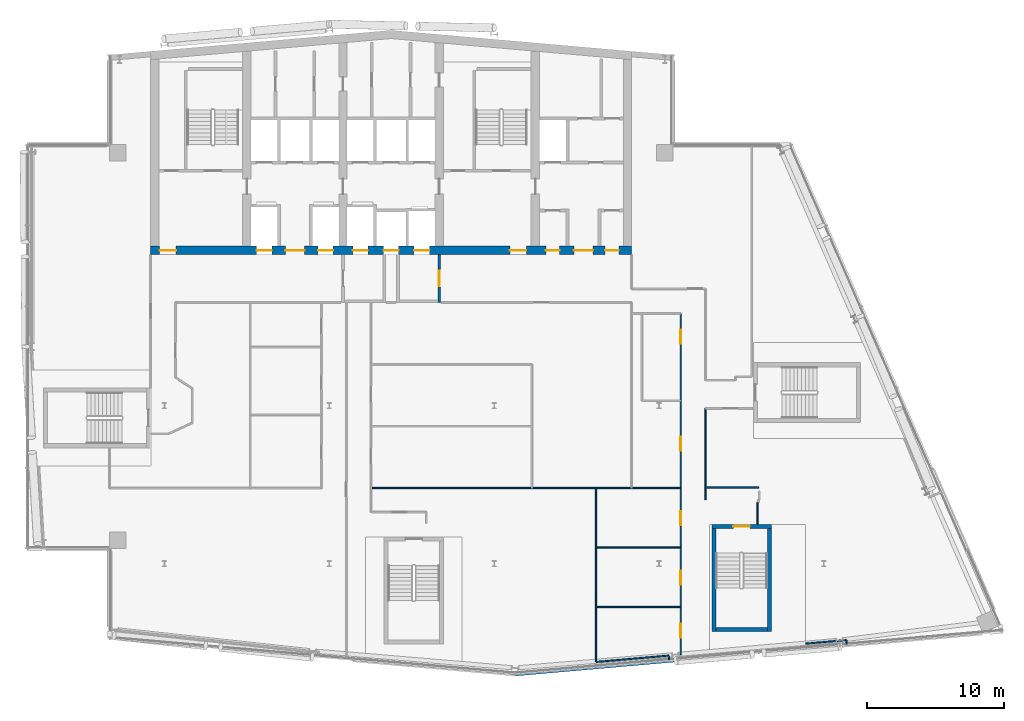
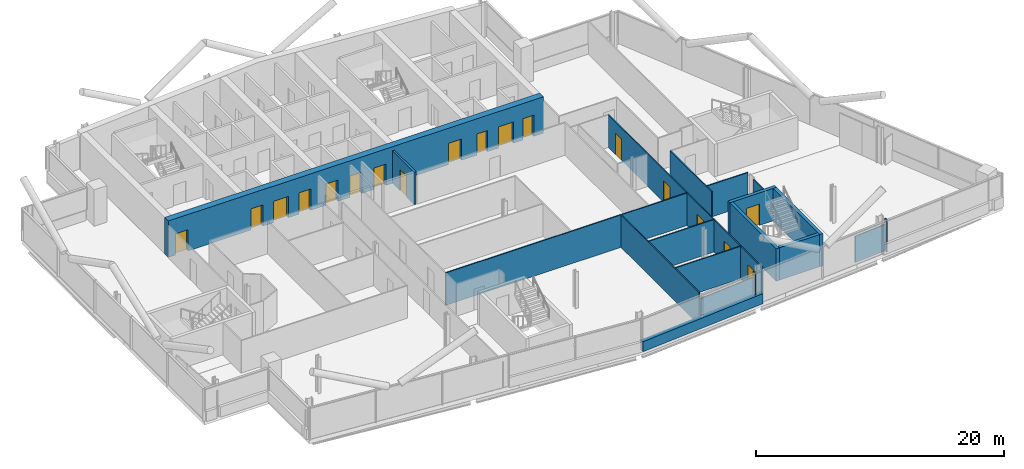
# One storey, part 16 of 27: 19 walls, 18 doors, 18 openings.
"""IFC4 building model written with IfcOpenShell, lengths in metres."""

import ifcopenshell
import ifcopenshell.guid

model = None  # the IFC model being written
_history = None  # IfcOwnerHistory: only IFC2X3 demands one
_inside = {}  # id of a spatial element -> (the spatial element, [elements in it])
_under = {}  # id of a project, library or spatial element -> (it, [spatial elements below it])
_declared = {}  # id of a project -> (the project, [libraries it declares])
_typed = {}  # id of a type object -> (the type object, [elements of that type])
_made_of = {}  # id of a material, layer set ... -> (it, [elements and type objects made of it])


def new_model(schema):
    """Start an empty IFC model of exactly this schema.

    Asked for "IFC4X3", IfcOpenShell would pick the latest addendum, in which some entities
    have other attributes; the version numbers below select the first issue.
    IFC2X3 requires an IfcOwnerHistory on every rooted entity: one is made here for all.
    """
    global model, _history
    if schema == "IFC4X3":
        model = ifcopenshell.file(schema_version=(4, 3, 0, 0))
    else:
        model = ifcopenshell.file(schema=schema)
    _inside.clear()
    _under.clear()
    _declared.clear()
    _typed.clear()
    _made_of.clear()
    _history = None
    if model.schema == "IFC2X3":
        org = make("IfcOrganization", Name="unknown")
        user = make(
            "IfcPersonAndOrganization",
            ThePerson=make("IfcPerson", FamilyName="unknown"),
            TheOrganization=org,
        )
        app = make(
            "IfcApplication",
            ApplicationDeveloper=org,
            Version="unknown",
            ApplicationFullName="unknown",
            ApplicationIdentifier="unknown",
        )
        _history = make(
            "IfcOwnerHistory",
            OwningUser=user,
            OwningApplication=app,
            ChangeAction="ADDED",
            CreationDate=0,
        )
    return model


def make(cls, **values):
    """One entity of the class cls with the attributes given. An attribute that is None is left unset."""
    return model.create_entity(
        cls, **{name: value for name, value in values.items() if value is not None}
    )


def rooted(cls, **values):
    """An entity with a GlobalId (a new one), such as an element, a storey or a relation."""
    return make(cls, GlobalId=ifcopenshell.guid.new(), OwnerHistory=_history, **values)


def si_unit(unit_type, name, prefix=None):
    """IfcSIUnit, for example si_unit("LENGTHUNIT", "METRE", prefix="MILLI")."""
    return make("IfcSIUnit", UnitType=unit_type, Prefix=prefix, Name=name)


def assignment(units):
    """IfcUnitAssignment: the units of a project."""
    return None if units is None else make("IfcUnitAssignment", Units=units)


def point(xyz):
    """IfcCartesianPoint."""
    return None if xyz is None else make("IfcCartesianPoint", Coordinates=xyz)


def direction(xyz):
    """IfcDirection."""
    return None if xyz is None else make("IfcDirection", DirectionRatios=xyz)


def frame(location, z_axis=None, x_axis=None):
    """IfcAxis2Placement3D, a coordinate frame: its origin and axes. An axis left out is left unset."""
    return make(
        "IfcAxis2Placement3D",
        Location=point(location),
        Axis=direction(z_axis),
        RefDirection=direction(x_axis),
    )


def frame_2d(location, x_axis=None):
    """IfcAxis2Placement2D, a coordinate frame in the plane: its origin and x axis."""
    return make(
        "IfcAxis2Placement2D", Location=point(location), RefDirection=direction(x_axis)
    )


def origin():
    """The frame at (0, 0, 0) with its axes left unset."""
    return frame((0.0, 0.0, 0.0))


def place(relative_to, where):
    """IfcLocalPlacement: puts the frame where relative to a parent placement (None: the world)."""
    return make(
        "IfcLocalPlacement", PlacementRelTo=relative_to, RelativePlacement=where
    )


def context(
    kind, dimensions, precision=None, world=None, true_north=None, identifier=None
):
    """IfcGeometricRepresentationContext, for example the 3D "Model" context."""
    return make(
        "IfcGeometricRepresentationContext",
        ContextIdentifier=identifier,
        ContextType=kind,
        CoordinateSpaceDimension=dimensions,
        Precision=precision,
        WorldCoordinateSystem=world,
        TrueNorth=true_north,
    )


def subcontext(parent, identifier, kind, view, scale=None):
    """IfcGeometricRepresentationSubContext, for example "Body" below "Model"."""
    return make(
        "IfcGeometricRepresentationSubContext",
        ContextIdentifier=identifier,
        ContextType=kind,
        ParentContext=parent,
        TargetScale=scale,
        TargetView=view,
    )


def project(units=None, contexts=None):
    """IfcProject with its units and contexts."""
    return rooted(
        "IfcProject",
        Name="project",
        RepresentationContexts=contexts,
        UnitsInContext=assignment(units),
    )


def spatial(cls, under=None, at=None, **own):
    """A site, building, storey or space (cls), placed at a placement, below another one or the project."""
    s = rooted(cls, ObjectPlacement=at, **own)
    if under is not None:
        _under.setdefault(under.id(), (under, []))[1].append(s)
    return s


def profile(cls, at=None, kind="AREA", **sizes):
    """A parametric profile (cls). Its sizes go by their IFC names, for example OverallWidth=200.0."""
    return make(cls, ProfileType=kind, Position=at, **sizes)


def rectangle(**sizes):
    """IfcRectangleProfileDef."""
    return profile("IfcRectangleProfileDef", **sizes)


def extrude(swept, where, along, depth):
    """IfcExtrudedAreaSolid: the profile swept, set in the frame where, extruded along a direction by depth."""
    return make(
        "IfcExtrudedAreaSolid",
        SweptArea=swept,
        Position=where,
        ExtrudedDirection=direction(along),
        Depth=depth,
    )


def shape(context_of_items, identifier, shape_type, items):
    """IfcShapeRepresentation: the items that make up one representation, for example the "Body"."""
    return make(
        "IfcShapeRepresentation",
        ContextOfItems=context_of_items,
        RepresentationIdentifier=identifier,
        RepresentationType=shape_type,
        Items=items,
    )


def material(Name=None, Category=None):
    """IfcMaterial."""
    return make("IfcMaterial", Name=Name, Category=Category)


def layer(
    of_material, thickness, ventilated=None, Name=None, Category=None, Priority=None
):
    """IfcMaterialLayer: one layer of a wall or slab, of a material (None: an air gap)."""
    return make(
        "IfcMaterialLayer",
        Material=of_material,
        LayerThickness=thickness,
        IsVentilated=ventilated,
        Name=Name,
        Category=Category,
        Priority=Priority,
    )


def layer_set(layers, Name=None):
    """IfcMaterialLayerSet."""
    return make("IfcMaterialLayerSet", MaterialLayers=layers, LayerSetName=Name)


def made_of(thing, what):
    """Note that an element or type object is made of a material, layer set ...; save() writes the relation."""
    if what is not None:
        _made_of.setdefault(what.id(), (what, []))[1].append(thing)
    return thing


def type_object(cls, material=None, **own):
    """A type object (cls), such as IfcWallType, which elements share."""
    return made_of(rooted(cls, **own), material)


def element(
    cls,
    number,
    at=None,
    inside=None,
    cuts=None,
    type_object=None,
    material=None,
    context=None,
    identifier="Body",
    shape_type=None,
    held_by="IfcProductDefinitionShape",
    body=None,
    shapes=None,
    **own,
):
    """One element of the class cls, such as IfcWall. Its Tag is "e" and its number.

    at: its placement. inside: the storey or other place that contains it. cuts: it is an
    opening in that element (IfcRelVoidsElement). A single representation is given by context,
    identifier, shape_type and body (its items); several are given by shapes. held_by: the class
    of the entity that holds the representations. save() writes the other relations.
    """
    e = rooted(cls, Tag="e%d" % number, ObjectPlacement=at, **own)
    if body is not None:
        shapes = [shape(context, identifier, shape_type, body)]
    if shapes is not None:
        e.Representation = make(held_by, Representations=shapes)
    if inside is not None:
        _inside.setdefault(inside.id(), (inside, []))[1].append(e)
    if cuts is not None:
        rooted(
            "IfcRelVoidsElement", RelatingBuildingElement=cuts, RelatedOpeningElement=e
        )
    if type_object is not None:
        _typed.setdefault(type_object.id(), (type_object, []))[1].append(e)
    return made_of(e, material)


def fill(opening, filler):
    """IfcRelFillsElement: the door or window that sits in an opening."""
    return rooted(
        "IfcRelFillsElement",
        RelatingOpeningElement=opening,
        RelatedBuildingElement=filler,
    )


def aggregate(whole, parts):
    """IfcRelAggregates: a whole, such as a stair, and the parts it consists of."""
    return rooted("IfcRelAggregates", RelatingObject=whole, RelatedObjects=parts)


def save(model, path):
    """Write the relations noted so far, then the file.

    IfcRelAggregates (storeys below a building ...), IfcRelContainedInSpatialStructure (elements
    in a storey), IfcRelDefinesByType, IfcRelAssociatesMaterial and IfcRelDeclares: one each for
    every whole, place, type object, material and project.
    """
    for whole, parts in _under.values():
        aggregate(whole, parts)
    for where, things in _inside.values():
        rooted(
            "IfcRelContainedInSpatialStructure",
            RelatedElements=things,
            RelatingStructure=where,
        )
    for kind, things in _typed.values():
        rooted("IfcRelDefinesByType", RelatedObjects=things, RelatingType=kind)
    for what, things in _made_of.values():
        rooted("IfcRelAssociatesMaterial", RelatedObjects=things, RelatingMaterial=what)
    for by, libraries in _declared.values():
        rooted("IfcRelDeclares", RelatingContext=by, RelatedDefinitions=libraries)
    model.write(path)


model = new_model("IFC4")

# Units and contexts
model_context = context("Model", 3, precision=1e-05, world=origin(), true_north=direction((0.0, 1.0)))
body_context = subcontext(model_context, "Body", "Model", "MODEL_VIEW")
ifc_project = project(units=[si_unit("LENGTHUNIT", "METRE"), si_unit("AREAUNIT", "SQUARE_METRE"), si_unit("VOLUMEUNIT", "CUBIC_METRE"), si_unit("PLANEANGLEUNIT", "RADIAN"), si_unit("MASSUNIT", "GRAM", prefix="KILO")], contexts=[model_context])

# Site, building, storey
site_placement = place(None, origin())
site = spatial("IfcSite", under=ifc_project, at=site_placement, CompositionType="ELEMENT")
building_placement = place(site_placement, origin())
building = spatial("IfcBuilding", under=site, at=building_placement, Name="Wharfspan Tower", CompositionType="ELEMENT")
storey_placement = place(building_placement, frame((0.0, 0.0, 228.699951)))
storey = spatial("IfcBuildingStorey", under=building, at=storey_placement, Name="L57", CompositionType="ELEMENT", Elevation=228.699951)

# Walls
ifc_material_1 = material(Name="Gypsum board on steel studs", Category="steel")
ifc_layer_1 = layer(ifc_material_1, 0.100098)
ifc_layer_set_1 = layer_set([ifc_layer_1], Name="Gypsum board on steel studs")
wall_type_1 = type_object("IfcWallType", Name="Compartment wall 100 EI 60", PredefinedType="PARTITIONING", material=ifc_layer_set_1)
wall_1_placement = place(storey_placement, frame((39.040039, 17.0, 0.0), z_axis=(0.0, 0.0, 1.0), x_axis=(1.0, 0.0, 0.0)))
element("IfcWall", 1, at=wall_1_placement, inside=storey, type_object=wall_type_1, Name="Partition L57.w022", PredefinedType="PARTITIONING", context=body_context, shape_type="SweptSolid", body=[
    extrude(rectangle(XDim=22.540039, YDim=0.100098, at=frame_2d((11.27002, 0.0))), origin(), (0.0, 0.0, 1.0), 3.199951),
])
for number, where, z_axis, x_axis, name in (
    (2, (55.419922, 8.340088, 0.0), (0.0, 0.0, 1.0), (1.0, 0.0, 0.0), "Partition L57.w030"),
    (3, (55.419922, 12.669922, 0.0), (0.0, 0.0, 1.0), (1.0, 0.0, 0.0), "Partition L57.w031"),
):
    element("IfcWall", number, at=place(storey_placement, frame(where, z_axis=z_axis, x_axis=x_axis)), inside=storey, type_object=wall_type_1, Name=name, PredefinedType="PARTITIONING", context=body_context, shape_type="SweptSolid", body=[
        extrude(rectangle(XDim=6.160156, YDim=0.100098, at=frame_2d((3.080078, 0.0))), origin(), (0.0, 0.0, 1.0), 3.199951),
    ])

# Wall, openings, doors
wall_2_placement = place(storey_placement, frame((61.580078, 4.879883, 0.0), z_axis=(0.0, 0.0, 1.0), x_axis=(0.0, 1.0, 0.0)))
wall_2 = element("IfcWall", 4, at=wall_2_placement, inside=storey, type_object=wall_type_1, Name="Partition L57.w040", PredefinedType="PARTITIONING", context=body_context, shape_type="SweptSolid", body=[
    extrude(rectangle(XDim=24.820068, YDim=0.100098, at=frame_2d((12.410156, 0.0))), origin(), (0.0, 0.0, 1.0), 3.199951),
])
opening_1_placement = place(wall_2_placement, frame((1.23999, 0.0, 0.0)))
opening_1 = element("IfcOpeningElement", 5, at=opening_1_placement, cuts=wall_2, Name="Opening D3-01", PredefinedType="OPENING", context=body_context, shape_type="SweptSolid", body=[
    extrude(rectangle(XDim=1.0, YDim=2.100098, at=frame_2d((0.5, 1.050049))), frame((0.0, 0.060059, 0.0), z_axis=(0.0, -1.0, 0.0), x_axis=(1.0, 0.0, 0.0)), (0.0, 0.0, 1.0), 0.120117),
])
opening_2_placement = place(wall_2_placement, frame((5.090088, 0.0, 0.0)))
opening_2 = element("IfcOpeningElement", 6, at=opening_2_placement, cuts=wall_2, Name="Opening D3-02", PredefinedType="OPENING", context=body_context, shape_type="SweptSolid", body=[
    extrude(rectangle(XDim=1.0, YDim=2.100098, at=frame_2d((0.5, 1.050049))), frame((0.0, 0.060059, 0.0), z_axis=(0.0, -1.0, 0.0), x_axis=(1.0, 0.0, 0.0)), (0.0, 0.0, 1.0), 0.120117),
])
opening_3_placement = place(wall_2_placement, frame((9.415039, 0.0, 0.0)))
opening_3 = element("IfcOpeningElement", 7, at=opening_3_placement, cuts=wall_2, Name="Opening D3-03", PredefinedType="OPENING", context=body_context, shape_type="SweptSolid", body=[
    extrude(rectangle(XDim=1.0, YDim=2.100098, at=frame_2d((0.5, 1.050049))), frame((0.0, 0.060059, 0.0), z_axis=(0.0, -1.0, 0.0), x_axis=(1.0, 0.0, 0.0)), (0.0, 0.0, 1.0), 0.120117),
])
opening_4_placement = place(wall_2_placement, frame((14.850098, 0.0, 0.0)))
opening_4 = element("IfcOpeningElement", 8, at=opening_4_placement, cuts=wall_2, Name="Opening D3-08", PredefinedType="OPENING", context=body_context, shape_type="SweptSolid", body=[
    extrude(rectangle(XDim=1.0, YDim=2.100098, at=frame_2d((0.5, 1.050049))), frame((0.0, 0.060059, 0.0), z_axis=(0.0, -1.0, 0.0), x_axis=(1.0, 0.0, 0.0)), (0.0, 0.0, 1.0), 0.120117),
])
opening_5_placement = place(wall_2_placement, frame((22.629883, 0.0, 0.0)))
opening_5 = element("IfcOpeningElement", 9, at=opening_5_placement, cuts=wall_2, Name="Opening D3-13", PredefinedType="OPENING", context=body_context, shape_type="SweptSolid", body=[
    extrude(rectangle(XDim=1.0, YDim=2.100098, at=frame_2d((0.5, 1.050049))), frame((0.0, 0.060059, 0.0), z_axis=(0.0, -1.0, 0.0), x_axis=(1.0, 0.0, 0.0)), (0.0, 0.0, 1.0), 0.120117),
])
ifc_material_2 = material(Name="Fire-rated timber door leaf in steel frame", Category="steel")
door_type_1 = type_object("IfcDoorType", Name="Door 1000 FD30S Left", OperationType="SINGLE_SWING_LEFT", PredefinedType="DOOR", material=ifc_material_2)
door_1_placement = place(opening_1_placement, origin())
door_1 = element("IfcDoor", 10, at=door_1_placement, inside=storey, type_object=door_type_1, Name="Door D3-01", OperationType="SINGLE_SWING_LEFT", OverallHeight=2.100098, OverallWidth=1.0, PredefinedType="DOOR", context=body_context, shape_type="SweptSolid", body=[
    extrude(rectangle(XDim=1.0, YDim=2.100098, at=frame_2d((0.5, 1.050049))), frame((0.0, 0.024902, 0.0), z_axis=(0.0, -1.0, 0.0), x_axis=(1.0, 0.0, 0.0)), (0.0, 0.0, 1.0), 0.050049),
])
fill(opening_1, door_1)
door_2_placement = place(opening_2_placement, origin())
door_2 = element("IfcDoor", 11, at=door_2_placement, inside=storey, type_object=door_type_1, Name="Door D3-02", OperationType="SINGLE_SWING_LEFT", OverallHeight=2.100098, OverallWidth=1.0, PredefinedType="DOOR", context=body_context, shape_type="SweptSolid", body=[
    extrude(rectangle(XDim=1.0, YDim=2.100098, at=frame_2d((0.5, 1.050049))), frame((0.0, 0.024902, 0.0), z_axis=(0.0, -1.0, 0.0), x_axis=(1.0, 0.0, 0.0)), (0.0, 0.0, 1.0), 0.050049),
])
fill(opening_2, door_2)
door_3_placement = place(opening_3_placement, origin())
door_3 = element("IfcDoor", 12, at=door_3_placement, inside=storey, type_object=door_type_1, Name="Door D3-03", OperationType="SINGLE_SWING_LEFT", OverallHeight=2.100098, OverallWidth=1.0, PredefinedType="DOOR", context=body_context, shape_type="SweptSolid", body=[
    extrude(rectangle(XDim=1.0, YDim=2.100098, at=frame_2d((0.5, 1.050049))), frame((0.0, 0.024902, 0.0), z_axis=(0.0, -1.0, 0.0), x_axis=(1.0, 0.0, 0.0)), (0.0, 0.0, 1.0), 0.050049),
])
fill(opening_3, door_3)
door_type_2 = type_object("IfcDoorType", Name="Door 1000 FD30S Right", OperationType="SINGLE_SWING_RIGHT", PredefinedType="DOOR", material=ifc_material_2)
door_4_placement = place(opening_4_placement, origin())
door_4 = element("IfcDoor", 13, at=door_4_placement, inside=storey, type_object=door_type_2, Name="Door D3-08", OperationType="SINGLE_SWING_RIGHT", OverallHeight=2.100098, OverallWidth=1.0, PredefinedType="DOOR", context=body_context, shape_type="SweptSolid", body=[
    extrude(rectangle(XDim=1.0, YDim=2.100098, at=frame_2d((0.5, 1.050049))), frame((0.0, 0.024902, 0.0), z_axis=(0.0, -1.0, 0.0), x_axis=(1.0, 0.0, 0.0)), (0.0, 0.0, 1.0), 0.050049),
])
fill(opening_4, door_4)
door_5_placement = place(opening_5_placement, origin())
door_5 = element("IfcDoor", 14, at=door_5_placement, inside=storey, type_object=door_type_2, Name="Door D3-13", OperationType="SINGLE_SWING_RIGHT", OverallHeight=2.100098, OverallWidth=1.0, PredefinedType="DOOR", context=body_context, shape_type="SweptSolid", body=[
    extrude(rectangle(XDim=1.0, YDim=2.100098, at=frame_2d((0.5, 1.050049))), frame((0.0, 0.024902, 0.0), z_axis=(0.0, -1.0, 0.0), x_axis=(1.0, 0.0, 0.0)), (0.0, 0.0, 1.0), 0.050049),
])
fill(opening_5, door_5)

# Walls
wall_3_placement = place(storey_placement, frame((63.379883, 16.14502, 0.0), z_axis=(0.0, 0.0, 1.0), x_axis=(0.0, 1.0, 0.0)))
element("IfcWall", 15, at=wall_3_placement, inside=storey, type_object=wall_type_1, Name="Partition L57.w041", PredefinedType="PARTITIONING", context=body_context, shape_type="SweptSolid", body=[
    extrude(rectangle(XDim=6.655029, YDim=0.100098, at=frame_2d((3.327637, 0.0))), origin(), (0.0, 0.0, 1.0), 3.199951),
])
wall_4_placement = place(storey_placement, frame((63.389893, 17.044922, 0.0), z_axis=(0.0, 0.0, 1.0), x_axis=(1.0, 0.0, 0.0)))
element("IfcWall", 16, at=wall_4_placement, inside=storey, type_object=wall_type_1, Name="Partition L57.w046", PredefinedType="PARTITIONING", context=body_context, shape_type="SweptSolid", body=[
    extrude(rectangle(XDim=3.860107, YDim=0.100098, at=frame_2d((1.930176, 0.0))), origin(), (0.0, 0.0, 1.0), 3.199951),
])
wall_5_placement = place(storey_placement, frame((67.169922, 14.366211, 0.0), z_axis=(0.0, 0.0, 1.0), x_axis=(0.0, 1.0, 0.0)))
element("IfcWall", 17, at=wall_5_placement, inside=storey, type_object=wall_type_1, Name="Partition L57.w050", PredefinedType="PARTITIONING", context=body_context, shape_type="SweptSolid", body=[
    extrude(rectangle(XDim=1.588867, YDim=0.100098, at=frame_2d((0.794434, 0.0))), origin(), (0.0, 0.0, 1.0), 3.199951),
])

# Wall, openings, doors
ifc_material_3 = material(Name="Concrete C50/60", Category="concrete")
ifc_layer_2 = layer(ifc_material_3, 0.600098)
ifc_layer_set_2 = layer_set([ifc_layer_2], Name="Concrete C50/60")
wall_type_2 = type_object("IfcWallType", Name="Core wall 600 C50/60", PredefinedType="SHEAR", material=ifc_layer_set_2)
wall_6_placement = place(storey_placement, frame((23.0, 34.300049, 0.0), z_axis=(0.0, 0.0, 1.0), x_axis=(1.0, 0.0, 0.0)))
wall_6 = element("IfcWall", 18, at=wall_6_placement, inside=storey, type_object=wall_type_2, Name="Core front wall L57", PredefinedType="SHEAR", context=body_context, shape_type="SweptSolid", body=[
    extrude(rectangle(XDim=35.0, YDim=0.600098, at=frame_2d((17.5, 0.0))), origin(), (0.0, 0.0, 1.0), 3.600098),
])
opening_6_placement = place(wall_6_placement, frame((0.649902, 0.0, 0.0)))
opening_6 = element("IfcOpeningElement", 19, at=opening_6_placement, cuts=wall_6, Name="Opening SV2.L57", PredefinedType="OPENING", context=body_context, shape_type="SweptSolid", body=[
    extrude(rectangle(XDim=1.199951, YDim=2.100098, at=frame_2d((0.600098, 1.050049))), frame((0.0, 0.310059, 0.0), z_axis=(0.0, -1.0, 0.0), x_axis=(1.0, 0.0, 0.0)), (0.0, 0.0, 1.0), 0.620117),
])
opening_7_placement = place(wall_6_placement, frame((7.716797, 0.0, 0.0)))
opening_7 = element("IfcOpeningElement", 20, at=opening_7_placement, cuts=wall_6, Name="Opening LD.SL1.L57", PredefinedType="OPENING", context=body_context, shape_type="SweptSolid", body=[
    extrude(rectangle(XDim=1.100098, YDim=2.100098, at=frame_2d((0.550049, 1.050049))), frame((0.0, 0.310059, 0.0), z_axis=(0.0, -1.0, 0.0), x_axis=(1.0, 0.0, 0.0)), (0.0, 0.0, 1.0), 0.620117),
])
opening_8_placement = place(wall_6_placement, frame((12.18335, 0.0, 0.0)))
opening_8 = element("IfcOpeningElement", 21, at=opening_8_placement, cuts=wall_6, Name="Opening LD.SL2.L57", PredefinedType="OPENING", context=body_context, shape_type="SweptSolid", body=[
    extrude(rectangle(XDim=1.100098, YDim=2.100098, at=frame_2d((0.550049, 1.050049))), frame((0.0, 0.310059, 0.0), z_axis=(0.0, -1.0, 0.0), x_axis=(1.0, 0.0, 0.0)), (0.0, 0.0, 1.0), 0.620117),
])
opening_9_placement = place(wall_6_placement, frame((9.800049, 0.0, 0.0)))
opening_9 = element("IfcOpeningElement", 22, at=opening_9_placement, cuts=wall_6, Name="Opening HD57.3", PredefinedType="OPENING", context=body_context, shape_type="SweptSolid", body=[
    extrude(rectangle(XDim=1.399902, YDim=2.100098, at=frame_2d((0.699951, 1.050049))), frame((0.0, 0.310059, 0.0), z_axis=(0.0, -1.0, 0.0), x_axis=(1.0, 0.0, 0.0)), (0.0, 0.0, 1.0), 0.620117),
])
opening_10_placement = place(wall_6_placement, frame((14.716797, 0.0, 0.0)))
opening_10 = element("IfcOpeningElement", 23, at=opening_10_placement, cuts=wall_6, Name="Opening LD.FF1.L57", PredefinedType="OPENING", context=body_context, shape_type="SweptSolid", body=[
    extrude(rectangle(XDim=1.100098, YDim=2.100098, at=frame_2d((0.550049, 1.050049))), frame((0.0, 0.310059, 0.0), z_axis=(0.0, -1.0, 0.0), x_axis=(1.0, 0.0, 0.0)), (0.0, 0.0, 1.0), 0.620117),
])
opening_11_placement = place(wall_6_placement, frame((16.949951, 0.0, 0.0)))
opening_11 = element("IfcOpeningElement", 24, at=opening_11_placement, cuts=wall_6, Name="Opening LD.LB7.L57", PredefinedType="OPENING", context=body_context, shape_type="SweptSolid", body=[
    extrude(rectangle(XDim=1.100098, YDim=2.100098, at=frame_2d((0.550049, 1.050049))), frame((0.0, 0.310059, 0.0), z_axis=(0.0, -1.0, 0.0), x_axis=(1.0, 0.0, 0.0)), (0.0, 0.0, 1.0), 0.620117),
])
opening_12_placement = place(wall_6_placement, frame((19.18335, 0.0, 0.0)))
opening_12 = element("IfcOpeningElement", 25, at=opening_12_placement, cuts=wall_6, Name="Opening LD.FF2.L57", PredefinedType="OPENING", context=body_context, shape_type="SweptSolid", body=[
    extrude(rectangle(XDim=1.100098, YDim=2.100098, at=frame_2d((0.550049, 1.050049))), frame((0.0, 0.310059, 0.0), z_axis=(0.0, -1.0, 0.0), x_axis=(1.0, 0.0, 0.0)), (0.0, 0.0, 1.0), 0.620117),
])
opening_13_placement = place(wall_6_placement, frame((26.149902, 0.0, 0.0)))
opening_13 = element("IfcOpeningElement", 26, at=opening_13_placement, cuts=wall_6, Name="Opening SV5.L57", PredefinedType="OPENING", context=body_context, shape_type="SweptSolid", body=[
    extrude(rectangle(XDim=1.199951, YDim=2.100098, at=frame_2d((0.600098, 1.050049))), frame((0.0, 0.310059, 0.0), z_axis=(0.0, -1.0, 0.0), x_axis=(1.0, 0.0, 0.0)), (0.0, 0.0, 1.0), 0.620117),
])
opening_14_placement = place(wall_6_placement, frame((28.766602, 0.0, 0.0)))
opening_14 = element("IfcOpeningElement", 27, at=opening_14_placement, cuts=wall_6, Name="Opening CD57.6F1", PredefinedType="OPENING", context=body_context, shape_type="SweptSolid", body=[
    extrude(rectangle(XDim=1.0, YDim=2.100098, at=frame_2d((0.5, 1.050049))), frame((0.0, 0.310059, 0.0), z_axis=(0.0, -1.0, 0.0), x_axis=(1.0, 0.0, 0.0)), (0.0, 0.0, 1.0), 0.620117),
])
opening_15_placement = place(wall_6_placement, frame((33.083252, 0.0, 0.0)))
opening_15 = element("IfcOpeningElement", 28, at=opening_15_placement, cuts=wall_6, Name="Opening CD57.6F3", PredefinedType="OPENING", context=body_context, shape_type="SweptSolid", body=[
    extrude(rectangle(XDim=1.0, YDim=2.100098, at=frame_2d((0.5, 1.050049))), frame((0.0, 0.310059, 0.0), z_axis=(0.0, -1.0, 0.0), x_axis=(1.0, 0.0, 0.0)), (0.0, 0.0, 1.0), 0.620117),
])
opening_16_placement = place(wall_6_placement, frame((30.800049, 0.0, 0.0)))
opening_16 = element("IfcOpeningElement", 29, at=opening_16_placement, cuts=wall_6, Name="Opening HD57.6", PredefinedType="OPENING", context=body_context, shape_type="SweptSolid", body=[
    extrude(rectangle(XDim=1.399902, YDim=2.100098, at=frame_2d((0.699951, 1.050049))), frame((0.0, 0.310059, 0.0), z_axis=(0.0, -1.0, 0.0), x_axis=(1.0, 0.0, 0.0)), (0.0, 0.0, 1.0), 0.620117),
])
ifc_material_4 = material(Name="Steel door leaf", Category="steel")
door_type_3 = type_object("IfcDoorType", Name="Core room door 1000x2100", OperationType="SINGLE_SWING_LEFT", PredefinedType="DOOR", material=ifc_material_4)
door_6_placement = place(opening_14_placement, origin())
door_6 = element("IfcDoor", 30, at=door_6_placement, inside=storey, type_object=door_type_3, Name="d:L57:6:fd6.1", OperationType="SINGLE_SWING_LEFT", OverallHeight=2.100098, OverallWidth=1.0, PredefinedType="DOOR", context=body_context, shape_type="SweptSolid", body=[
    extrude(rectangle(XDim=1.0, YDim=2.100098, at=frame_2d((0.5, 1.050049))), frame((0.0, 0.024902, 0.0), z_axis=(0.0, -1.0, 0.0), x_axis=(1.0, 0.0, 0.0)), (0.0, 0.0, 1.0), 0.050049),
])
fill(opening_14, door_6)
door_7_placement = place(opening_15_placement, origin())
door_7 = element("IfcDoor", 31, at=door_7_placement, inside=storey, type_object=door_type_3, Name="d:L57:6:fd6.3", OperationType="SINGLE_SWING_LEFT", OverallHeight=2.100098, OverallWidth=1.0, PredefinedType="DOOR", context=body_context, shape_type="SweptSolid", body=[
    extrude(rectangle(XDim=1.0, YDim=2.100098, at=frame_2d((0.5, 1.050049))), frame((0.0, 0.024902, 0.0), z_axis=(0.0, -1.0, 0.0), x_axis=(1.0, 0.0, 0.0)), (0.0, 0.0, 1.0), 0.050049),
])
fill(opening_15, door_7)
door_type_4 = type_object("IfcDoorType", Name="Hall entry door 1400x2100", OperationType="DOUBLE_DOOR_SINGLE_SWING", PredefinedType="DOOR", material=ifc_material_4)
door_8_placement = place(opening_9_placement, origin())
door_8 = element("IfcDoor", 32, at=door_8_placement, inside=storey, type_object=door_type_4, Name="d:L57:3:hd3", OperationType="DOUBLE_DOOR_SINGLE_SWING", OverallHeight=2.100098, OverallWidth=1.399902, PredefinedType="DOOR", context=body_context, shape_type="SweptSolid", body=[
    extrude(rectangle(XDim=1.399902, YDim=2.100098, at=frame_2d((0.699951, 1.050049))), frame((0.0, 0.024902, 0.0), z_axis=(0.0, -1.0, 0.0), x_axis=(1.0, 0.0, 0.0)), (0.0, 0.0, 1.0), 0.050049),
])
fill(opening_9, door_8)
door_9_placement = place(opening_16_placement, origin())
door_9 = element("IfcDoor", 33, at=door_9_placement, inside=storey, type_object=door_type_4, Name="d:L57:6:hd6", OperationType="DOUBLE_DOOR_SINGLE_SWING", OverallHeight=2.100098, OverallWidth=1.399902, PredefinedType="DOOR", context=body_context, shape_type="SweptSolid", body=[
    extrude(rectangle(XDim=1.399902, YDim=2.100098, at=frame_2d((0.699951, 1.050049))), frame((0.0, 0.024902, 0.0), z_axis=(0.0, -1.0, 0.0), x_axis=(1.0, 0.0, 0.0)), (0.0, 0.0, 1.0), 0.050049),
])
fill(opening_16, door_9)
ifc_material_5 = material(Name="Stainless steel", Category="steel")
door_type_5 = type_object("IfcDoorType", Name="Lift landing door 1100x2100", OperationType="DOUBLE_DOOR_SLIDING", PredefinedType="DOOR", material=ifc_material_5)
door_10_placement = place(opening_7_placement, origin())
door_10 = element("IfcDoor", 34, at=door_10_placement, inside=storey, type_object=door_type_5, Name="Landing door SL1 L57", OperationType="DOUBLE_DOOR_SLIDING", OverallHeight=2.100098, OverallWidth=1.100098, PredefinedType="DOOR", context=body_context, shape_type="SweptSolid", body=[
    extrude(rectangle(XDim=1.100098, YDim=2.100098, at=frame_2d((0.550049, 1.050049))), frame((0.0, 0.024902, 0.0), z_axis=(0.0, -1.0, 0.0), x_axis=(1.0, 0.0, 0.0)), (0.0, 0.0, 1.0), 0.050049),
])
fill(opening_7, door_10)
door_11_placement = place(opening_8_placement, origin())
door_11 = element("IfcDoor", 35, at=door_11_placement, inside=storey, type_object=door_type_5, Name="Landing door SL2 L57", OperationType="DOUBLE_DOOR_SLIDING", OverallHeight=2.100098, OverallWidth=1.100098, PredefinedType="DOOR", context=body_context, shape_type="SweptSolid", body=[
    extrude(rectangle(XDim=1.100098, YDim=2.100098, at=frame_2d((0.550049, 1.050049))), frame((0.0, 0.024902, 0.0), z_axis=(0.0, -1.0, 0.0), x_axis=(1.0, 0.0, 0.0)), (0.0, 0.0, 1.0), 0.050049),
])
fill(opening_8, door_11)
door_12_placement = place(opening_10_placement, origin())
door_12 = element("IfcDoor", 36, at=door_12_placement, inside=storey, type_object=door_type_5, Name="Landing door FF1 L57", OperationType="DOUBLE_DOOR_SLIDING", OverallHeight=2.100098, OverallWidth=1.100098, PredefinedType="DOOR", context=body_context, shape_type="SweptSolid", body=[
    extrude(rectangle(XDim=1.100098, YDim=2.100098, at=frame_2d((0.550049, 1.050049))), frame((0.0, 0.024902, 0.0), z_axis=(0.0, -1.0, 0.0), x_axis=(1.0, 0.0, 0.0)), (0.0, 0.0, 1.0), 0.050049),
])
fill(opening_10, door_12)
door_13_placement = place(opening_11_placement, origin())
door_13 = element("IfcDoor", 37, at=door_13_placement, inside=storey, type_object=door_type_5, Name="Landing door LB7 L57", OperationType="DOUBLE_DOOR_SLIDING", OverallHeight=2.100098, OverallWidth=1.100098, PredefinedType="DOOR", context=body_context, shape_type="SweptSolid", body=[
    extrude(rectangle(XDim=1.100098, YDim=2.100098, at=frame_2d((0.550049, 1.050049))), frame((0.0, 0.024902, 0.0), z_axis=(0.0, -1.0, 0.0), x_axis=(1.0, 0.0, 0.0)), (0.0, 0.0, 1.0), 0.050049),
])
fill(opening_11, door_13)
door_14_placement = place(opening_12_placement, origin())
door_14 = element("IfcDoor", 38, at=door_14_placement, inside=storey, type_object=door_type_5, Name="Landing door FF2 L57", OperationType="DOUBLE_DOOR_SLIDING", OverallHeight=2.100098, OverallWidth=1.100098, PredefinedType="DOOR", context=body_context, shape_type="SweptSolid", body=[
    extrude(rectangle(XDim=1.100098, YDim=2.100098, at=frame_2d((0.550049, 1.050049))), frame((0.0, 0.024902, 0.0), z_axis=(0.0, -1.0, 0.0), x_axis=(1.0, 0.0, 0.0)), (0.0, 0.0, 1.0), 0.050049),
])
fill(opening_12, door_14)
door_type_6 = type_object("IfcDoorType", Name="Stair door 1200x2100", OperationType="SINGLE_SWING_LEFT", PredefinedType="DOOR", material=ifc_material_4)
door_15_placement = place(opening_6_placement, origin())
door_15 = element("IfcDoor", 39, at=door_15_placement, inside=storey, type_object=door_type_6, Name="vd:L57:2", OperationType="SINGLE_SWING_LEFT", OverallHeight=2.100098, OverallWidth=1.199951, PredefinedType="DOOR", context=body_context, shape_type="SweptSolid", body=[
    extrude(rectangle(XDim=1.199951, YDim=2.100098, at=frame_2d((0.600098, 1.050049))), frame((0.0, 0.024902, 0.0), z_axis=(0.0, -1.0, 0.0), x_axis=(1.0, 0.0, 0.0)), (0.0, 0.0, 1.0), 0.050049),
])
fill(opening_6, door_15)
door_16_placement = place(opening_13_placement, origin())
door_16 = element("IfcDoor", 40, at=door_16_placement, inside=storey, type_object=door_type_6, Name="vd:L57:5", OperationType="SINGLE_SWING_LEFT", OverallHeight=2.100098, OverallWidth=1.199951, PredefinedType="DOOR", context=body_context, shape_type="SweptSolid", body=[
    extrude(rectangle(XDim=1.199951, YDim=2.100098, at=frame_2d((0.600098, 1.050049))), frame((0.0, 0.024902, 0.0), z_axis=(0.0, -1.0, 0.0), x_axis=(1.0, 0.0, 0.0)), (0.0, 0.0, 1.0), 0.050049),
])
fill(opening_13, door_16)

# Wall, opening, door
ifc_material_6 = material(Name="Concrete C30/37", Category="concrete")
ifc_layer_3 = layer(ifc_material_6, 0.199951)
ifc_layer_set_3 = layer_set([ifc_layer_3], Name="Concrete C30/37")
wall_type_3 = type_object("IfcWallType", Name="Lobby wall 200", PredefinedType="PARTITIONING", material=ifc_layer_set_3)
wall_7_placement = place(storey_placement, frame((44.0, 30.5, 0.0), z_axis=(0.0, 0.0, 1.0), x_axis=(0.0, 1.0, 0.0)))
wall_7 = element("IfcWall", 41, at=wall_7_placement, inside=storey, type_object=wall_type_3, Name="sw:L57:FLFF2E", PredefinedType="PARTITIONING", context=body_context, shape_type="SweptSolid", body=[
    extrude(rectangle(XDim=3.5, YDim=0.199951, at=frame_2d((1.75, 0.0))), origin(), (0.0, 0.0, 1.0), 3.199951),
])
opening_17_placement = place(wall_7_placement, frame((1.199951, 0.0, 0.0)))
opening_17 = element("IfcOpeningElement", 42, at=opening_17_placement, cuts=wall_7, Name="Opening FL.FF2.L57", PredefinedType="OPENING", context=body_context, shape_type="SweptSolid", body=[
    extrude(rectangle(XDim=1.100098, YDim=2.100098, at=frame_2d((0.550049, 1.050049))), frame((0.0, 0.109863, 0.0), z_axis=(0.0, -1.0, 0.0), x_axis=(1.0, 0.0, 0.0)), (0.0, 0.0, 1.0), 0.219971),
])
door_type_7 = type_object("IfcDoorType", Name="Firefighting lobby door 1100x2100", OperationType="SINGLE_SWING_LEFT", PredefinedType="DOOR", material=ifc_material_4)
door_17_placement = place(opening_17_placement, origin())
door_17 = element("IfcDoor", 43, at=door_17_placement, inside=storey, type_object=door_type_7, Name="fd:L57:FF2", OperationType="SINGLE_SWING_LEFT", OverallHeight=2.100098, OverallWidth=1.100098, PredefinedType="DOOR", context=body_context, shape_type="SweptSolid", body=[
    extrude(rectangle(XDim=1.100098, YDim=2.100098, at=frame_2d((0.550049, 1.050049))), frame((0.0, 0.024902, 0.0), z_axis=(0.0, -1.0, 0.0), x_axis=(1.0, 0.0, 0.0)), (0.0, 0.0, 1.0), 0.050049),
])
fill(opening_17, door_17)

# Walls
ifc_layer_4 = layer(ifc_material_1, 0.100098)
ifc_layer_set_4 = layer_set([ifc_layer_4], Name="Gypsum board on steel studs")
wall_type_4 = type_object("IfcWallType", Name="Partition 100", PredefinedType="PARTITIONING", material=ifc_layer_set_4)
wall_8_placement = place(storey_placement, frame((55.415039, 4.340088, 0.0), z_axis=(0.0, 0.0, 1.0), x_axis=(0.996159, 0.087534, 0.0)))
element("IfcWall", 44, at=wall_8_placement, inside=storey, type_object=wall_type_4, Name="Partition L57.w028", PredefinedType="PARTITIONING", context=body_context, shape_type="SweptSolid", body=[
    extrude(rectangle(XDim=5.310303, YDim=0.100098, at=frame_2d((2.655273, 0.0))), origin(), (0.0, 0.0, 1.0), 2.580078),
])
wall_9_placement = place(storey_placement, frame((55.415039, 4.344971, 0.0), z_axis=(0.0, 0.0, 1.0), x_axis=(0.0, 1.0, 0.0)))
element("IfcWall", 45, at=wall_9_placement, inside=storey, type_object=wall_type_4, Name="Partition L57.w029", PredefinedType="PARTITIONING", context=body_context, shape_type="SweptSolid", body=[
    extrude(rectangle(XDim=12.650146, YDim=0.100098, at=frame_2d((6.325195, 0.0))), origin(), (0.0, 0.0, 1.0), 3.199951),
])
wall_10_placement = place(storey_placement, frame((60.73291, 4.49707, 0.0), z_axis=(0.0, 0.0, 1.0), x_axis=(-0.090037, 0.995936, 0.0)))
element("IfcWall", 46, at=wall_10_placement, inside=storey, type_object=wall_type_4, Name="Partition L57.w039", PredefinedType="PARTITIONING", context=body_context, shape_type="SweptSolid", body=[
    extrude(rectangle(XDim=0.309082, YDim=0.100098, at=frame_2d((0.154541, 0.0))), origin(), (0.0, 0.0, 1.0), 3.199951),
])
wall_11_placement = place(storey_placement, frame((70.688721, 5.676514, 0.0), z_axis=(0.0, 0.0, 1.0), x_axis=(0.996174, 0.087417, 0.0)))
element("IfcWall", 47, at=wall_11_placement, inside=storey, type_object=wall_type_4, Name="Partition L57.w053", PredefinedType="PARTITIONING", context=body_context, shape_type="SweptSolid", body=[
    extrude(rectangle(XDim=2.95752, YDim=0.100098, at=frame_2d((1.47876, 0.0))), origin(), (0.0, 0.0, 1.0), 2.580078),
])
wall_12_placement = place(storey_placement, frame((73.66333, 5.628174, 0.0), z_axis=(0.0, 0.0, 1.0), x_axis=(-0.091893, 0.995772, 0.0)))
element("IfcWall", 48, at=wall_12_placement, inside=storey, type_object=wall_type_4, Name="Partition L57.w054", PredefinedType="PARTITIONING", context=body_context, shape_type="SweptSolid", body=[
    extrude(rectangle(XDim=0.308105, YDim=0.100098, at=frame_2d((0.154053, 0.0))), origin(), (0.0, 0.0, 1.0), 3.199951),
])
ifc_material_7 = material(Name="Concrete C40/50", Category="concrete")
ifc_layer_5 = layer(ifc_material_7, 0.350098)
ifc_layer_set_5 = layer_set([ifc_layer_5], Name="Concrete C40/50")
wall_type_5 = type_object("IfcWallType", Name="SPANDREL EXPOSED CONCRETE 350", PredefinedType="SOLIDWALL", material=ifc_layer_set_5)
wall_13_placement = place(storey_placement, frame((49.54541, 3.493164, 0.0), z_axis=(0.0, 0.0, 1.0), x_axis=(0.996196, 0.087141, 0.0)))
element("IfcWall", 49, at=wall_13_placement, inside=storey, type_object=wall_type_5, Name="Spandrel upstand L57 S2 1", PredefinedType="SOLIDWALL", context=body_context, shape_type="SweptSolid", body=[
    extrude(rectangle(XDim=11.803467, YDim=0.350098, at=frame_2d((5.901855, 0.0))), origin(), (0.0, 0.0, 1.0), 1.0),
])

# Wall, opening, door
ifc_layer_6 = layer(ifc_material_7, 0.300049)
ifc_layer_set_6 = layer_set([ifc_layer_6], Name="Concrete C40/50")
wall_type_6 = type_object("IfcWallType", Name="Stair core wall 300", PredefinedType="SHEAR", material=ifc_layer_set_6)
wall_14_placement = place(storey_placement, frame((63.84375, 14.196289, 0.0), z_axis=(0.0, 0.0, 1.0), x_axis=(1.0, 0.0, 0.0)))
wall_14 = element("IfcWall", 50, at=wall_14_placement, inside=storey, type_object=wall_type_6, Name="ST5 stair enclosure wall L57", PredefinedType="SHEAR", context=body_context, shape_type="SweptSolid", body=[
    extrude(rectangle(XDim=4.350098, YDim=0.300049, at=frame_2d((2.175049, 0.0))), origin(), (0.0, 0.0, 1.0), 3.199951),
])
opening_18_placement = place(wall_14_placement, frame((1.574951, 0.0, 0.0)))
opening_18 = element("IfcOpeningElement", 51, at=opening_18_placement, cuts=wall_14, Name="Opening SD5.L57", PredefinedType="OPENING", context=body_context, shape_type="SweptSolid", body=[
    extrude(rectangle(XDim=1.199951, YDim=2.100098, at=frame_2d((0.600098, 1.050049))), frame((0.0, 0.159912, 0.0), z_axis=(0.0, -1.0, 0.0), x_axis=(1.0, 0.0, 0.0)), (0.0, 0.0, 1.0), 0.320068),
])
door_18_placement = place(opening_18_placement, origin())
door_18 = element("IfcDoor", 52, at=door_18_placement, inside=storey, type_object=door_type_6, Name="sd:L57:ST5z4", OperationType="SINGLE_SWING_RIGHT", OverallHeight=2.100098, OverallWidth=1.199951, PredefinedType="DOOR", context=body_context, shape_type="SweptSolid", body=[
    extrude(rectangle(XDim=1.199951, YDim=2.100098, at=frame_2d((0.600098, 1.050049))), frame((0.0, 0.024902, 0.0), z_axis=(0.0, -1.0, 0.0), x_axis=(1.0, 0.0, 0.0)), (0.0, 0.0, 1.0), 0.050049),
])
fill(opening_18, door_18)

# Walls
for number, where, z_axis, x_axis, name in (
    (53, (63.993896, 6.546143, 0.0), (0.0, 0.0, 1.0), (0.0, 1.0, 0.0), "ST5 stair enclosure wall L57"),
    (54, (68.043701, 6.546143, 0.0), (0.0, 0.0, 1.0), (0.0, 1.0, 0.0), "ST5 stair enclosure wall L57"),
):
    element("IfcWall", number, at=place(storey_placement, frame(where, z_axis=z_axis, x_axis=x_axis)), inside=storey, type_object=wall_type_6, Name=name, PredefinedType="SHEAR", context=body_context, shape_type="SweptSolid", body=[
        extrude(rectangle(XDim=7.5, YDim=0.300049, at=frame_2d((3.75, 0.0))), origin(), (0.0, 0.0, 1.0), 3.199951),
    ])
wall_15_placement = place(storey_placement, frame((64.143799, 6.696289, 0.0), z_axis=(0.0, 0.0, 1.0), x_axis=(1.0, 0.0, 0.0)))
element("IfcWall", 55, at=wall_15_placement, inside=storey, type_object=wall_type_6, Name="ST5 stair enclosure wall L57", PredefinedType="SHEAR", context=body_context, shape_type="SweptSolid", body=[
    extrude(rectangle(XDim=3.75, YDim=0.300049, at=frame_2d((1.875, 0.0))), origin(), (0.0, 0.0, 1.0), 3.199951),
])

save(model, "model.ifc")
